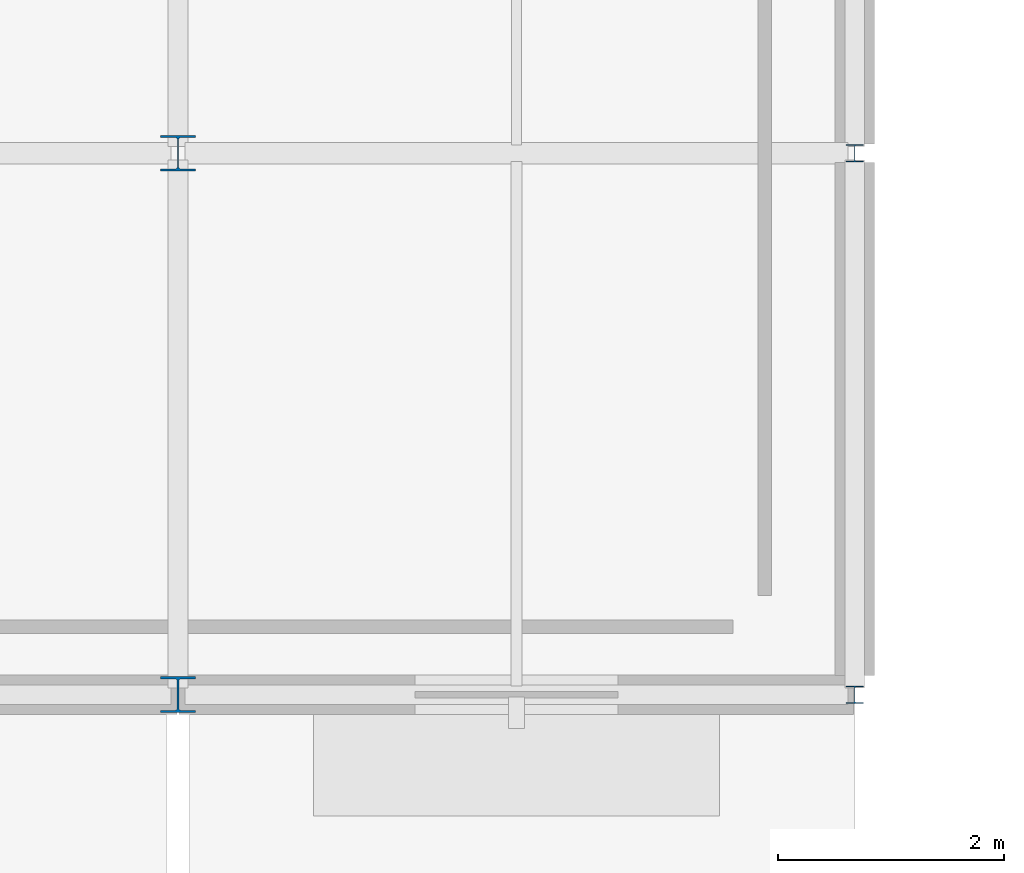
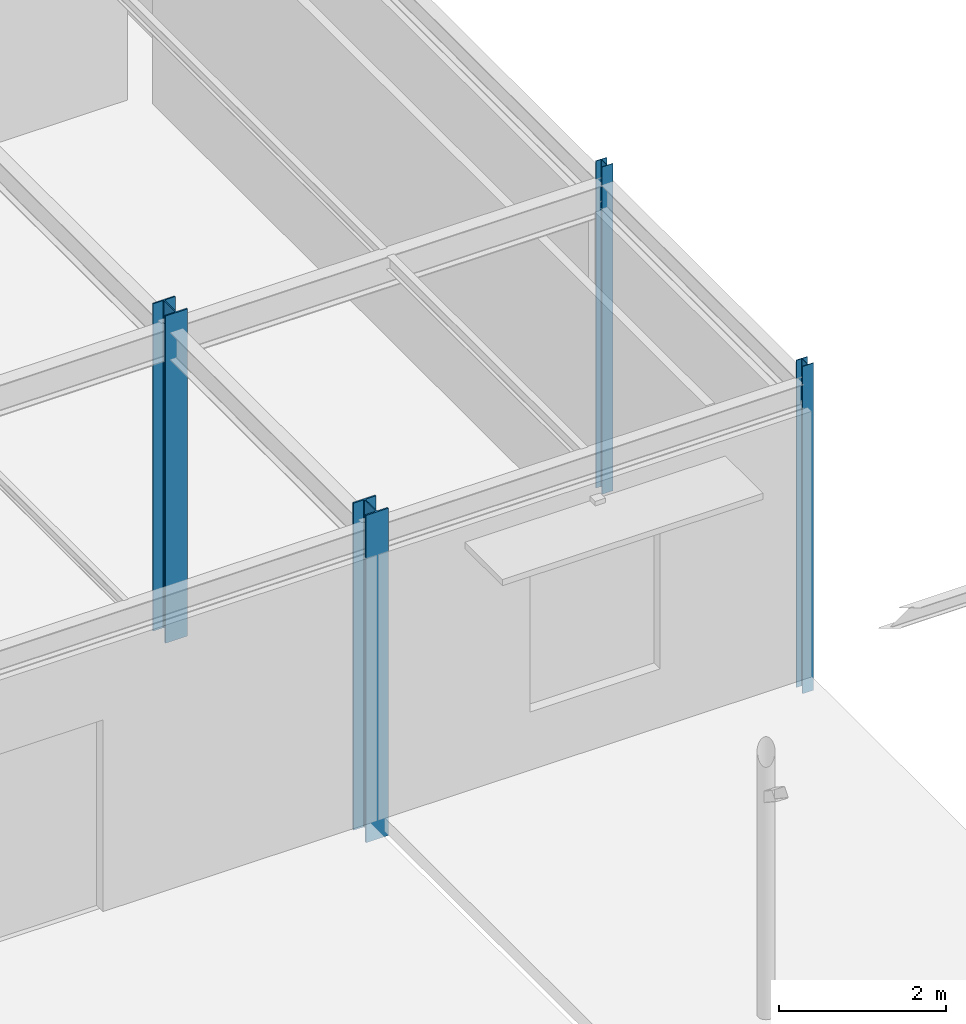
# One storey, part 39 of 119: 4 columns.
"""IFC4 building model written with IfcOpenShell, lengths in metres."""

from ifc_helpers import new_model, si_unit, derived_unit, direction, frame, origin, origin_2d_with_axis, place, context, subcontext, project, spatial, i_section, extrude, material, material_profile, profile_set, type_object, element, save


model = new_model("IFC4")

# Units and contexts
model_context = context("Model", 3, precision=1e-05, world=origin(), true_north=direction((0.0, 1.0)))
body_context = subcontext(model_context, "Body", "Model", "MODEL_VIEW")
ifc_project = project(units=[si_unit("LENGTHUNIT", "METRE"), si_unit("AREAUNIT", "SQUARE_METRE"), si_unit("VOLUMEUNIT", "CUBIC_METRE"), si_unit("PLANEANGLEUNIT", "RADIAN"), si_unit("MASSUNIT", "GRAM", prefix="KILO"), derived_unit("THERMALTRANSMITTANCEUNIT", [(si_unit("POWERUNIT", "WATT"), 1), (si_unit("LENGTHUNIT", "METRE"), -2), (si_unit("THERMODYNAMICTEMPERATUREUNIT", "KELVIN"), -1)])], contexts=[model_context])

# Site, building, storey
site_placement = place(None, origin())
site = spatial("IfcSite", under=ifc_project, at=site_placement, CompositionType="ELEMENT")
building_placement = place(site_placement, origin())
building = spatial("IfcBuilding", under=site, at=building_placement, Name="Cinnabar Yard Market Hall", CompositionType="ELEMENT")
storey_placement = place(building_placement, origin())
storey = spatial("IfcBuildingStorey", under=building, at=storey_placement, Name="L00", CompositionType="ELEMENT", Elevation=0.0)

# Columns
ifc_material_1 = material(Name="Steel Grade 350 (350 MPa)", Category="steel")
ifc_material_profile_1 = material_profile(ifc_material_1, i_section(OverallWidth=0.30908203125, OverallDepth=0.320556640625, WebThickness=0.013916015625, FlangeThickness=0.021728515625, FilletRadius=0.0166015625, at=origin_2d_with_axis()), Name="310UC137")
ifc_profile_set_1 = profile_set([ifc_material_profile_1], Name="Steel Grade 350 (350 MPa)")
column_type_1 = type_object("IfcColumnType", Name="COL-C07E", PredefinedType="COLUMN", material=ifc_profile_set_1)
column_1_placement = place(storey_placement, frame((156.0, 108.0, -0.280029296875), z_axis=(0.0, 0.0, 1.0), x_axis=(1.0, 0.0, 0.0)))
element("IfcColumn", 1, at=column_1_placement, inside=storey, type_object=column_type_1, Name="Wing Column V3-10-01 L00", PredefinedType="COLUMN", context=body_context, shape_type="SweptSolid", body=[
    extrude(i_section(OverallWidth=0.30908203125, OverallDepth=0.320556640625, WebThickness=0.013916015625, FlangeThickness=0.021728515625, FilletRadius=0.0166015625, at=origin_2d_with_axis()), origin(), (0.0, 0.0, 1.0), 4.780029296875),
])
ifc_material_2 = material(Name="Steel Grade 300 (300 MPa)", Category="steel")
ifc_material_profile_2 = material_profile(ifc_material_2, i_section(OverallWidth=0.307373046875, OverallDepth=0.314697265625, WebThickness=0.011962890625, FlangeThickness=0.018798828125, FilletRadius=0.0166015625, at=origin_2d_with_axis()), Name="310UC118")
ifc_profile_set_2 = profile_set([ifc_material_profile_2], Name="Steel Grade 300 (300 MPa)")
column_type_2 = type_object("IfcColumnType", Name="COL-C08", PredefinedType="COLUMN", material=ifc_profile_set_2)
column_2_placement = place(storey_placement, frame((156.0, 112.800048828125, -0.280029296875), z_axis=(0.0, 0.0, 1.0), x_axis=(1.0, 0.0, 0.0)))
element("IfcColumn", 2, at=column_2_placement, inside=storey, type_object=column_type_2, Name="Wing Column V3-10-02 L00", PredefinedType="COLUMN", context=body_context, shape_type="SweptSolid", body=[
    extrude(i_section(OverallWidth=0.307373046875, OverallDepth=0.314697265625, WebThickness=0.011962890625, FlangeThickness=0.018798828125, FilletRadius=0.0166015625, at=origin_2d_with_axis()), origin(), (0.0, 0.0, 1.0), 4.780029296875),
])
ifc_material_profile_3 = material_profile(ifc_material_2, i_section(OverallWidth=0.15283203125, OverallDepth=0.15771484375, WebThickness=0.006591796875, FlangeThickness=0.009521484375, FilletRadius=0.0087890625, at=origin_2d_with_axis()), Name="150UC30.0")
ifc_profile_set_3 = profile_set([ifc_material_profile_3], Name="Steel Grade 300 (300 MPa)")
column_type_3 = type_object("IfcColumnType", Name="COL-C18E", PredefinedType="COLUMN", material=ifc_profile_set_3)
column_3_placement = place(storey_placement, frame((162.0, 108.0, -0.280029296875), z_axis=(0.0, 0.0, 1.0), x_axis=(1.0, 0.0, 0.0)))
element("IfcColumn", 3, at=column_3_placement, inside=storey, type_object=column_type_3, Name="Wing Column V3-11-01 L00", PredefinedType="COLUMN", context=body_context, shape_type="SweptSolid", body=[
    extrude(i_section(OverallWidth=0.15283203125, OverallDepth=0.15771484375, WebThickness=0.006591796875, FlangeThickness=0.009521484375, FilletRadius=0.0087890625, at=origin_2d_with_axis()), origin(), (0.0, 0.0, 1.0), 4.780029296875),
])
ifc_material_profile_4 = material_profile(ifc_material_2, i_section(OverallWidth=0.152099609375, OverallDepth=0.15234375, WebThickness=0.005859375, FlangeThickness=0.0068359375, FilletRadius=0.0087890625, at=origin_2d_with_axis()), Name="150UC23.4")
ifc_profile_set_4 = profile_set([ifc_material_profile_4], Name="Steel Grade 300 (300 MPa)")
column_type_4 = type_object("IfcColumnType", Name="COL-C19E", PredefinedType="COLUMN", material=ifc_profile_set_4)
column_4_placement = place(storey_placement, frame((162.0, 112.800048828125, -0.280029296875), z_axis=(0.0, 0.0, 1.0), x_axis=(1.0, 0.0, 0.0)))
element("IfcColumn", 4, at=column_4_placement, inside=storey, type_object=column_type_4, Name="Wing Column V3-11-02 L00", PredefinedType="COLUMN", context=body_context, shape_type="SweptSolid", body=[
    extrude(i_section(OverallWidth=0.152099609375, OverallDepth=0.15234375, WebThickness=0.005859375, FlangeThickness=0.0068359375, FilletRadius=0.0087890625, at=origin_2d_with_axis()), origin(), (0.0, 0.0, 1.0), 4.780029296875),
])

save(model, "model.ifc")
